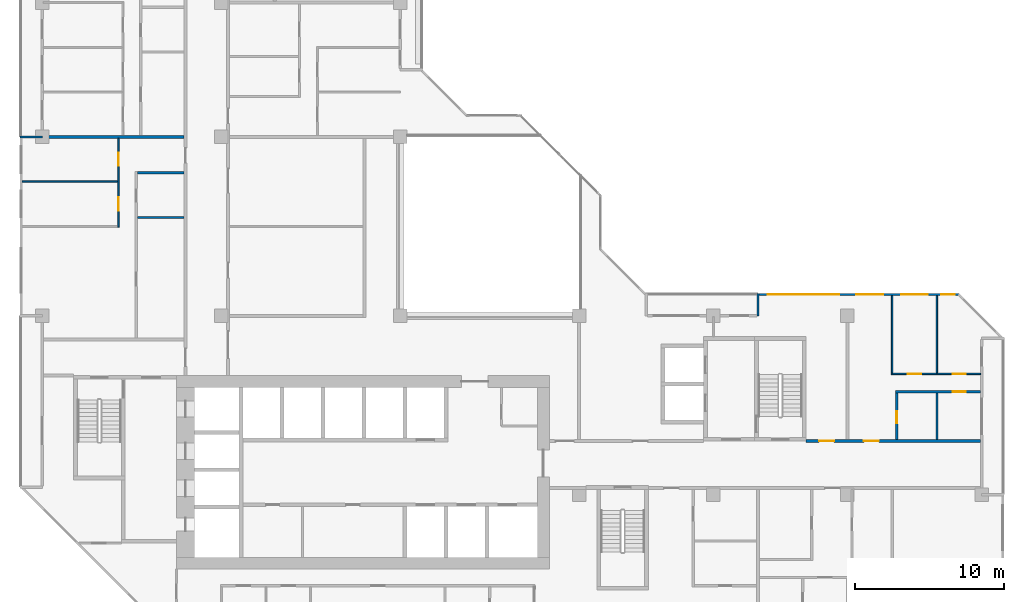
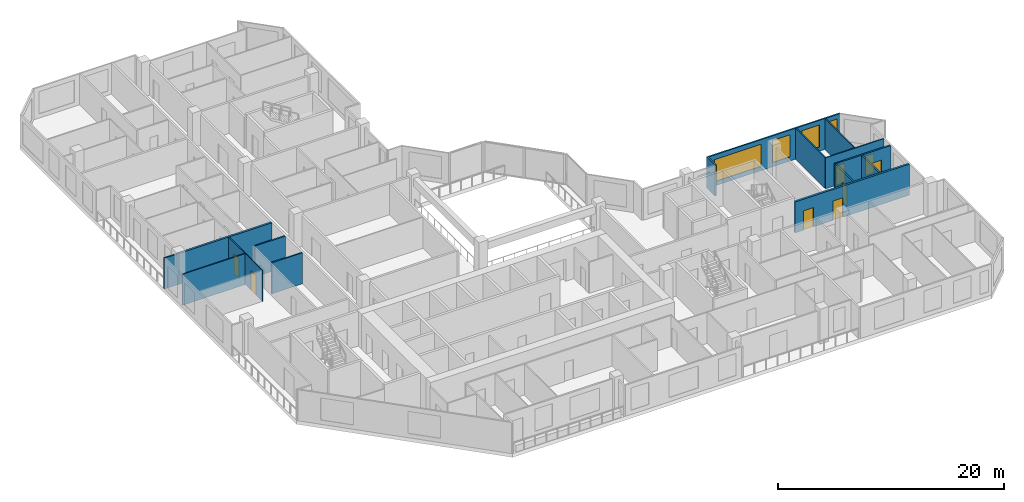
# One storey, part 8 of 14: 15 walls, 8 doors, 4 windows, 12 openings.
"""IFC4 building model written with IfcOpenShell, lengths in metres."""

import ifcopenshell
import ifcopenshell.guid

model = None  # the IFC model being written
_history = None  # IfcOwnerHistory: only IFC2X3 demands one
_inside = {}  # id of a spatial element -> (the spatial element, [elements in it])
_under = {}  # id of a project, library or spatial element -> (it, [spatial elements below it])
_declared = {}  # id of a project -> (the project, [libraries it declares])
_typed = {}  # id of a type object -> (the type object, [elements of that type])
_made_of = {}  # id of a material, layer set ... -> (it, [elements and type objects made of it])


def new_model(schema):
    """Start an empty IFC model of exactly this schema.

    Asked for "IFC4X3", IfcOpenShell would pick the latest addendum, in which some entities
    have other attributes; the version numbers below select the first issue.
    IFC2X3 requires an IfcOwnerHistory on every rooted entity: one is made here for all.
    """
    global model, _history
    if schema == "IFC4X3":
        model = ifcopenshell.file(schema_version=(4, 3, 0, 0))
    else:
        model = ifcopenshell.file(schema=schema)
    _inside.clear()
    _under.clear()
    _declared.clear()
    _typed.clear()
    _made_of.clear()
    _history = None
    if model.schema == "IFC2X3":
        org = make("IfcOrganization", Name="unknown")
        user = make(
            "IfcPersonAndOrganization",
            ThePerson=make("IfcPerson", FamilyName="unknown"),
            TheOrganization=org,
        )
        app = make(
            "IfcApplication",
            ApplicationDeveloper=org,
            Version="unknown",
            ApplicationFullName="unknown",
            ApplicationIdentifier="unknown",
        )
        _history = make(
            "IfcOwnerHistory",
            OwningUser=user,
            OwningApplication=app,
            ChangeAction="ADDED",
            CreationDate=0,
        )
    return model


def make(cls, **values):
    """One entity of the class cls with the attributes given. An attribute that is None is left unset."""
    return model.create_entity(
        cls, **{name: value for name, value in values.items() if value is not None}
    )


def rooted(cls, **values):
    """An entity with a GlobalId (a new one), such as an element, a storey or a relation."""
    return make(cls, GlobalId=ifcopenshell.guid.new(), OwnerHistory=_history, **values)


def si_unit(unit_type, name, prefix=None):
    """IfcSIUnit, for example si_unit("LENGTHUNIT", "METRE", prefix="MILLI")."""
    return make("IfcSIUnit", UnitType=unit_type, Prefix=prefix, Name=name)


def assignment(units):
    """IfcUnitAssignment: the units of a project."""
    return None if units is None else make("IfcUnitAssignment", Units=units)


def point(xyz):
    """IfcCartesianPoint."""
    return None if xyz is None else make("IfcCartesianPoint", Coordinates=xyz)


def direction(xyz):
    """IfcDirection."""
    return None if xyz is None else make("IfcDirection", DirectionRatios=xyz)


def frame(location, z_axis=None, x_axis=None):
    """IfcAxis2Placement3D, a coordinate frame: its origin and axes. An axis left out is left unset."""
    return make(
        "IfcAxis2Placement3D",
        Location=point(location),
        Axis=direction(z_axis),
        RefDirection=direction(x_axis),
    )


def frame_2d(location, x_axis=None):
    """IfcAxis2Placement2D, a coordinate frame in the plane: its origin and x axis."""
    return make(
        "IfcAxis2Placement2D", Location=point(location), RefDirection=direction(x_axis)
    )


def origin():
    """The frame at (0, 0, 0) with its axes left unset."""
    return frame((0.0, 0.0, 0.0))


def place(relative_to, where):
    """IfcLocalPlacement: puts the frame where relative to a parent placement (None: the world)."""
    return make(
        "IfcLocalPlacement", PlacementRelTo=relative_to, RelativePlacement=where
    )


def context(
    kind, dimensions, precision=None, world=None, true_north=None, identifier=None
):
    """IfcGeometricRepresentationContext, for example the 3D "Model" context."""
    return make(
        "IfcGeometricRepresentationContext",
        ContextIdentifier=identifier,
        ContextType=kind,
        CoordinateSpaceDimension=dimensions,
        Precision=precision,
        WorldCoordinateSystem=world,
        TrueNorth=true_north,
    )


def subcontext(parent, identifier, kind, view, scale=None):
    """IfcGeometricRepresentationSubContext, for example "Body" below "Model"."""
    return make(
        "IfcGeometricRepresentationSubContext",
        ContextIdentifier=identifier,
        ContextType=kind,
        ParentContext=parent,
        TargetScale=scale,
        TargetView=view,
    )


def project(units=None, contexts=None):
    """IfcProject with its units and contexts."""
    return rooted(
        "IfcProject",
        Name="project",
        RepresentationContexts=contexts,
        UnitsInContext=assignment(units),
    )


def spatial(cls, under=None, at=None, **own):
    """A site, building, storey or space (cls), placed at a placement, below another one or the project."""
    s = rooted(cls, ObjectPlacement=at, **own)
    if under is not None:
        _under.setdefault(under.id(), (under, []))[1].append(s)
    return s


def profile(cls, at=None, kind="AREA", **sizes):
    """A parametric profile (cls). Its sizes go by their IFC names, for example OverallWidth=200.0."""
    return make(cls, ProfileType=kind, Position=at, **sizes)


def rectangle(**sizes):
    """IfcRectangleProfileDef."""
    return profile("IfcRectangleProfileDef", **sizes)


def extrude(swept, where, along, depth):
    """IfcExtrudedAreaSolid: the profile swept, set in the frame where, extruded along a direction by depth."""
    return make(
        "IfcExtrudedAreaSolid",
        SweptArea=swept,
        Position=where,
        ExtrudedDirection=direction(along),
        Depth=depth,
    )


def shape(context_of_items, identifier, shape_type, items):
    """IfcShapeRepresentation: the items that make up one representation, for example the "Body"."""
    return make(
        "IfcShapeRepresentation",
        ContextOfItems=context_of_items,
        RepresentationIdentifier=identifier,
        RepresentationType=shape_type,
        Items=items,
    )


def material(Name=None, Category=None):
    """IfcMaterial."""
    return make("IfcMaterial", Name=Name, Category=Category)


def layer(
    of_material, thickness, ventilated=None, Name=None, Category=None, Priority=None
):
    """IfcMaterialLayer: one layer of a wall or slab, of a material (None: an air gap)."""
    return make(
        "IfcMaterialLayer",
        Material=of_material,
        LayerThickness=thickness,
        IsVentilated=ventilated,
        Name=Name,
        Category=Category,
        Priority=Priority,
    )


def layer_set(layers, Name=None):
    """IfcMaterialLayerSet."""
    return make("IfcMaterialLayerSet", MaterialLayers=layers, LayerSetName=Name)


def made_of(thing, what):
    """Note that an element or type object is made of a material, layer set ...; save() writes the relation."""
    if what is not None:
        _made_of.setdefault(what.id(), (what, []))[1].append(thing)
    return thing


def type_object(cls, material=None, **own):
    """A type object (cls), such as IfcWallType, which elements share."""
    return made_of(rooted(cls, **own), material)


def element(
    cls,
    number,
    at=None,
    inside=None,
    cuts=None,
    type_object=None,
    material=None,
    context=None,
    identifier="Body",
    shape_type=None,
    held_by="IfcProductDefinitionShape",
    body=None,
    shapes=None,
    **own,
):
    """One element of the class cls, such as IfcWall. Its Tag is "e" and its number.

    at: its placement. inside: the storey or other place that contains it. cuts: it is an
    opening in that element (IfcRelVoidsElement). A single representation is given by context,
    identifier, shape_type and body (its items); several are given by shapes. held_by: the class
    of the entity that holds the representations. save() writes the other relations.
    """
    e = rooted(cls, Tag="e%d" % number, ObjectPlacement=at, **own)
    if body is not None:
        shapes = [shape(context, identifier, shape_type, body)]
    if shapes is not None:
        e.Representation = make(held_by, Representations=shapes)
    if inside is not None:
        _inside.setdefault(inside.id(), (inside, []))[1].append(e)
    if cuts is not None:
        rooted(
            "IfcRelVoidsElement", RelatingBuildingElement=cuts, RelatedOpeningElement=e
        )
    if type_object is not None:
        _typed.setdefault(type_object.id(), (type_object, []))[1].append(e)
    return made_of(e, material)


def fill(opening, filler):
    """IfcRelFillsElement: the door or window that sits in an opening."""
    return rooted(
        "IfcRelFillsElement",
        RelatingOpeningElement=opening,
        RelatedBuildingElement=filler,
    )


def aggregate(whole, parts):
    """IfcRelAggregates: a whole, such as a stair, and the parts it consists of."""
    return rooted("IfcRelAggregates", RelatingObject=whole, RelatedObjects=parts)


def save(model, path):
    """Write the relations noted so far, then the file.

    IfcRelAggregates (storeys below a building ...), IfcRelContainedInSpatialStructure (elements
    in a storey), IfcRelDefinesByType, IfcRelAssociatesMaterial and IfcRelDeclares: one each for
    every whole, place, type object, material and project.
    """
    for whole, parts in _under.values():
        aggregate(whole, parts)
    for where, things in _inside.values():
        rooted(
            "IfcRelContainedInSpatialStructure",
            RelatedElements=things,
            RelatingStructure=where,
        )
    for kind, things in _typed.values():
        rooted("IfcRelDefinesByType", RelatedObjects=things, RelatingType=kind)
    for what, things in _made_of.values():
        rooted("IfcRelAssociatesMaterial", RelatedObjects=things, RelatingMaterial=what)
    for by, libraries in _declared.values():
        rooted("IfcRelDeclares", RelatingContext=by, RelatedDefinitions=libraries)
    model.write(path)


model = new_model("IFC4")

# Units and contexts
model_context = context("Model", 3, precision=1e-05, world=origin(), true_north=direction((0.0, 1.0)))
body_context = subcontext(model_context, "Body", "Model", "MODEL_VIEW")
ifc_project = project(units=[si_unit("LENGTHUNIT", "METRE"), si_unit("AREAUNIT", "SQUARE_METRE"), si_unit("VOLUMEUNIT", "CUBIC_METRE"), si_unit("PLANEANGLEUNIT", "RADIAN"), si_unit("MASSUNIT", "GRAM", prefix="KILO")], contexts=[model_context])

# Site, building, storey
site_placement = place(None, origin())
site = spatial("IfcSite", under=ifc_project, at=site_placement, CompositionType="ELEMENT")
building_placement = place(site_placement, origin())
building = spatial("IfcBuilding", under=site, at=building_placement, Name="Chenar Terraces", CompositionType="ELEMENT")
storey_placement = place(building_placement, frame((0.0, 0.0, 168.64990234375)))
storey = spatial("IfcBuildingStorey", under=building, at=storey_placement, Name="L38", CompositionType="ELEMENT", Elevation=168.64990234375)

# Wall, openings, doors
ifc_material_1 = material(Name="Gypsum board on steel studs with fire boards", Category="steel")
ifc_layer_1 = layer(ifc_material_1, 0.199951171875)
ifc_layer_set_1 = layer_set([ifc_layer_1], Name="Gypsum board on steel studs with fire boards")
wall_type_1 = type_object("IfcWallType", Name="Corridor wall 200", PredefinedType="PARTITIONING", material=ifc_layer_set_1)
wall_1_placement = place(storey_placement, frame((51.22509765625, 15.60009765625, 0.0), z_axis=(0.0, 0.0, 1.0), x_axis=(1.0, 0.0, 0.0)))
wall_1 = element("IfcWall", 1, at=wall_1_placement, inside=storey, type_object=wall_type_1, Name="Partition L38-074", PredefinedType="PARTITIONING", context=body_context, shape_type="SweptSolid", body=[
    extrude(rectangle(XDim=11.700927734375, YDim=0.199951171875, at=frame_2d((5.8505859375, 0.0))), origin(), (0.0, 0.0, 1.0), 3.35009765625),
])
opening_1_placement = place(wall_1_placement, frame((3.875, 0.0, 0.0)))
opening_1 = element("IfcOpeningElement", 2, at=opening_1_placement, cuts=wall_1, Name="Opening DL38-8", PredefinedType="OPENING", context=body_context, shape_type="SweptSolid", body=[
    extrude(rectangle(XDim=1.0, YDim=2.10009765625, at=frame_2d((0.5, 1.050048828125))), frame((0.0, 0.10986328125, 0.0), z_axis=(0.0, -1.0, 0.0), x_axis=(1.0, 0.0, 0.0)), (0.0, 0.0, 1.0), 0.219970703125),
])
opening_2_placement = place(wall_1_placement, frame((0.875, 0.0, 0.0)))
opening_2 = element("IfcOpeningElement", 3, at=opening_2_placement, cuts=wall_1, Name="Opening DL38-43", PredefinedType="OPENING", context=body_context, shape_type="SweptSolid", body=[
    extrude(rectangle(XDim=1.0, YDim=2.10009765625, at=frame_2d((0.5, 1.050048828125))), frame((0.0, 0.10986328125, 0.0), z_axis=(0.0, -1.0, 0.0), x_axis=(1.0, 0.0, 0.0)), (0.0, 0.0, 1.0), 0.219970703125),
])
ifc_material_2 = material(Name="Steel-framed fire-resisting door leaf", Category="steel")
door_type_1 = type_object("IfcDoorType", Name="Fire door FD30S 1000 x 2100", OperationType="SINGLE_SWING_LEFT", PredefinedType="DOOR", material=ifc_material_2)
door_1_placement = place(opening_1_placement, origin())
door_1 = element("IfcDoor", 4, at=door_1_placement, inside=storey, type_object=door_type_1, Name="Door DL38-8", OperationType="SINGLE_SWING_LEFT", OverallHeight=2.10009765625, OverallWidth=1.0, PredefinedType="DOOR", context=body_context, shape_type="SweptSolid", body=[
    extrude(rectangle(XDim=1.0, YDim=2.10009765625, at=frame_2d((0.5, 1.050048828125))), frame((0.0, 0.02490234375, 0.0), z_axis=(0.0, -1.0, 0.0), x_axis=(1.0, 0.0, 0.0)), (0.0, 0.0, 1.0), 0.050048828125),
])
fill(opening_1, door_1)
door_2_placement = place(opening_2_placement, origin())
door_2 = element("IfcDoor", 5, at=door_2_placement, inside=storey, type_object=door_type_1, Name="Door DL38-43", OperationType="SINGLE_SWING_RIGHT", OverallHeight=2.10009765625, OverallWidth=1.0, PredefinedType="DOOR", context=body_context, shape_type="SweptSolid", body=[
    extrude(rectangle(XDim=1.0, YDim=2.10009765625, at=frame_2d((0.5, 1.050048828125))), frame((0.0, 0.02490234375, 0.0), z_axis=(0.0, -1.0, 0.0), x_axis=(1.0, 0.0, 0.0)), (0.0, 0.0, 1.0), 0.050048828125),
])
fill(opening_2, door_2)

# Wall, openings, windows
ifc_material_3 = material(Name="Aluminium framed glazing", Category="aluminium")
ifc_layer_2 = layer(ifc_material_3, 0.14990234375)
ifc_layer_set_2 = layer_set([ifc_layer_2], Name="Aluminium framed glazing")
wall_type_2 = type_object("IfcWallType", Name="Glazed flush facade wall 150", PredefinedType="SOLIDWALL", material=ifc_layer_set_2)
wall_2_placement = place(storey_placement, frame((61.5, 25.425048828125, 0.0), z_axis=(0.0, 0.0, 1.0), x_axis=(-1.0, 0.0, 0.0)))
wall_2 = element("IfcWall", 6, at=wall_2_placement, inside=storey, type_object=wall_type_2, Name="Glazed flush facade wall", PredefinedType="SOLIDWALL", context=body_context, shape_type="SweptSolid", body=[
    extrude(rectangle(XDim=13.425048828125, YDim=0.14990234375, at=frame_2d((6.71240234375, 0.0))), origin(), (0.0, 0.0, 1.0), 3.35009765625),
])
opening_3_placement = place(wall_2_placement, frame((0.300048828125, 0.0, 0.449951171875)))
opening_3 = element("IfcOpeningElement", 7, at=opening_3_placement, cuts=wall_2, Name="Opening W90x240", PredefinedType="OPENING", context=body_context, shape_type="SweptSolid", body=[
    extrude(rectangle(XDim=0.89990234375, YDim=2.39990234375, at=frame_2d((0.449951171875, 1.199951171875))), frame((0.0, 0.0849609375, 0.0), z_axis=(0.0, -1.0, 0.0), x_axis=(1.0, 0.0, 0.0)), (0.0, 0.0, 1.0), 0.169921875),
])
opening_4_placement = place(wall_2_placement, frame((2.10009765625, 0.0, 0.449951171875)))
opening_4 = element("IfcOpeningElement", 8, at=opening_4_placement, cuts=wall_2, Name="Opening W180x240", PredefinedType="OPENING", context=body_context, shape_type="SweptSolid", body=[
    extrude(rectangle(XDim=1.800048828125, YDim=2.39990234375, at=frame_2d((0.89990234375, 1.199951171875))), frame((0.0, 0.0849609375, 0.0), z_axis=(0.0, -1.0, 0.0), x_axis=(1.0, 0.0, 0.0)), (0.0, 0.0, 1.0), 0.169921875),
])
opening_5_placement = place(wall_2_placement, frame((5.10009765625, 0.0, 0.449951171875)))
opening_5 = element("IfcOpeningElement", 9, at=opening_5_placement, cuts=wall_2, Name="Opening W180x240", PredefinedType="OPENING", context=body_context, shape_type="SweptSolid", body=[
    extrude(rectangle(XDim=1.800048828125, YDim=2.39990234375, at=frame_2d((0.89990234375, 1.199951171875))), frame((0.0, 0.0849609375, 0.0), z_axis=(0.0, -1.0, 0.0), x_axis=(1.0, 0.0, 0.0)), (0.0, 0.0, 1.0), 0.169921875),
])
opening_6_placement = place(wall_2_placement, frame((8.0625, 0.0, 0.449951171875)))
opening_6 = element("IfcOpeningElement", 10, at=opening_6_placement, cuts=wall_2, Name="Opening W480x240", PredefinedType="OPENING", context=body_context, shape_type="SweptSolid", body=[
    extrude(rectangle(XDim=4.800048828125, YDim=2.39990234375, at=frame_2d((2.39990234375, 1.199951171875))), frame((0.0, 0.0849609375, 0.0), z_axis=(0.0, -1.0, 0.0), x_axis=(1.0, 0.0, 0.0)), (0.0, 0.0, 1.0), 0.169921875),
])
ifc_material_4 = material(Name="Low emissivity double glazing, aluminium frame", Category="aluminium")
window_type_1 = type_object("IfcWindowType", Name="Fixed light 1800 x 2400", PartitioningType="SINGLE_PANEL", PredefinedType="WINDOW", material=ifc_material_4)
window_1_placement = place(opening_4_placement, origin())
window_1 = element("IfcWindow", 11, at=window_1_placement, inside=storey, type_object=window_type_1, Name="Window", OverallHeight=2.39990234375, OverallWidth=1.800048828125, PartitioningType="SINGLE_PANEL", PredefinedType="WINDOW", context=body_context, shape_type="SweptSolid", body=[
    extrude(rectangle(XDim=1.800048828125, YDim=2.39990234375, at=frame_2d((0.89990234375, 1.199951171875))), frame((0.0, 0.030029296875, 0.0), z_axis=(0.0, -1.0, 0.0), x_axis=(1.0, 0.0, 0.0)), (0.0, 0.0, 1.0), 0.06005859375),
])
fill(opening_4, window_1)
window_2_placement = place(opening_5_placement, origin())
window_2 = element("IfcWindow", 12, at=window_2_placement, inside=storey, type_object=window_type_1, Name="Window", OverallHeight=2.39990234375, OverallWidth=1.800048828125, PartitioningType="SINGLE_PANEL", PredefinedType="WINDOW", context=body_context, shape_type="SweptSolid", body=[
    extrude(rectangle(XDim=1.800048828125, YDim=2.39990234375, at=frame_2d((0.89990234375, 1.199951171875))), frame((0.0, 0.030029296875, 0.0), z_axis=(0.0, -1.0, 0.0), x_axis=(1.0, 0.0, 0.0)), (0.0, 0.0, 1.0), 0.06005859375),
])
fill(opening_5, window_2)
ifc_material_5 = material(Name="Low emissivity double glazing, aluminium frame", Category="aluminium")
window_type_2 = type_object("IfcWindowType", Name="Fixed light 4800 x 2400", PartitioningType="SINGLE_PANEL", PredefinedType="WINDOW", material=ifc_material_5)
window_3_placement = place(opening_6_placement, origin())
window_3 = element("IfcWindow", 13, at=window_3_placement, inside=storey, type_object=window_type_2, Name="Window", OverallHeight=2.39990234375, OverallWidth=4.800048828125, PartitioningType="SINGLE_PANEL", PredefinedType="WINDOW", context=body_context, shape_type="SweptSolid", body=[
    extrude(rectangle(XDim=4.800048828125, YDim=2.39990234375, at=frame_2d((2.39990234375, 1.199951171875))), frame((0.0, 0.030029296875, 0.0), z_axis=(0.0, -1.0, 0.0), x_axis=(1.0, 0.0, 0.0)), (0.0, 0.0, 1.0), 0.06005859375),
])
fill(opening_6, window_3)
ifc_material_6 = material(Name="Low emissivity double glazing, aluminium frame", Category="aluminium")
window_type_3 = type_object("IfcWindowType", Name="Fixed light 900 x 2400", PartitioningType="SINGLE_PANEL", PredefinedType="WINDOW", material=ifc_material_6)
window_4_placement = place(opening_3_placement, origin())
window_4 = element("IfcWindow", 14, at=window_4_placement, inside=storey, type_object=window_type_3, Name="Window", OverallHeight=2.39990234375, OverallWidth=0.89990234375, PartitioningType="SINGLE_PANEL", PredefinedType="WINDOW", context=body_context, shape_type="SweptSolid", body=[
    extrude(rectangle(XDim=0.89990234375, YDim=2.39990234375, at=frame_2d((0.449951171875, 1.199951171875))), frame((0.0, 0.030029296875, 0.0), z_axis=(0.0, -1.0, 0.0), x_axis=(1.0, 0.0, 0.0)), (0.0, 0.0, 1.0), 0.06005859375),
])
fill(opening_3, window_4)

# Wall
ifc_material_7 = material(Name="Gypsum board on steel studs", Category="steel")
ifc_layer_3 = layer(ifc_material_7, 0.10009765625)
ifc_layer_set_3 = layer_set([ifc_layer_3], Name="Gypsum board on steel studs")
wall_type_3 = type_object("IfcWallType", Name="Gypsum partition 100", PredefinedType="PARTITIONING", material=ifc_layer_set_3)
wall_3_placement = place(storey_placement, frame((-1.35107421875, 33.0, 0.0), z_axis=(0.0, 0.0, 1.0), x_axis=(1.0, 0.0, 0.0)))
element("IfcWall", 15, at=wall_3_placement, inside=storey, type_object=wall_type_3, Name="Partition L38-001", PredefinedType="PARTITIONING", context=body_context, shape_type="SweptSolid", body=[
    extrude(rectangle(XDim=6.401123046875, YDim=0.10009765625, at=frame_2d((3.20068359375, 0.0))), origin(), (0.0, 0.0, 1.0), 3.35009765625),
])

# Wall, openings, doors
wall_4_placement = place(storey_placement, frame((5.10009765625, 29.949951171875, 0.0), z_axis=(0.0, 0.0, 1.0), x_axis=(0.0, 1.0, 0.0)))
wall_4 = element("IfcWall", 16, at=wall_4_placement, inside=storey, type_object=wall_type_3, Name="Partition L38-013", PredefinedType="PARTITIONING", context=body_context, shape_type="SweptSolid", body=[
    extrude(rectangle(XDim=5.949951171875, YDim=0.10009765625, at=frame_2d((2.97509765625, 0.0))), origin(), (0.0, 0.0, 1.0), 3.35009765625),
])
opening_7_placement = place(wall_4_placement, frame((1.10009765625, 0.0, 0.0)))
opening_7 = element("IfcOpeningElement", 17, at=opening_7_placement, cuts=wall_4, Name="Opening DL38-59", PredefinedType="OPENING", context=body_context, shape_type="SweptSolid", body=[
    extrude(rectangle(XDim=0.89990234375, YDim=2.10009765625, at=frame_2d((0.449951171875, 1.050048828125))), frame((0.0, 0.06005859375, 0.0), z_axis=(0.0, -1.0, 0.0), x_axis=(1.0, 0.0, 0.0)), (0.0, 0.0, 1.0), 0.1201171875),
])
opening_8_placement = place(wall_4_placement, frame((4.10009765625, 0.0, 0.0)))
opening_8 = element("IfcOpeningElement", 18, at=opening_8_placement, cuts=wall_4, Name="Opening DL38-60", PredefinedType="OPENING", context=body_context, shape_type="SweptSolid", body=[
    extrude(rectangle(XDim=0.89990234375, YDim=2.10009765625, at=frame_2d((0.449951171875, 1.050048828125))), frame((0.0, 0.06005859375, 0.0), z_axis=(0.0, -1.0, 0.0), x_axis=(1.0, 0.0, 0.0)), (0.0, 0.0, 1.0), 0.1201171875),
])
ifc_material_8 = material(Name="Veneered timber door leaf", Category="wood")
door_type_2 = type_object("IfcDoorType", Name="Door 900 x 2100", OperationType="SINGLE_SWING_LEFT", PredefinedType="DOOR", material=ifc_material_8)
door_3_placement = place(opening_7_placement, origin())
door_3 = element("IfcDoor", 19, at=door_3_placement, inside=storey, type_object=door_type_2, Name="Door DL38-59", OperationType="SINGLE_SWING_LEFT", OverallHeight=2.10009765625, OverallWidth=0.89990234375, PredefinedType="DOOR", context=body_context, shape_type="SweptSolid", body=[
    extrude(rectangle(XDim=0.89990234375, YDim=2.10009765625, at=frame_2d((0.449951171875, 1.050048828125))), frame((0.0, 0.02490234375, 0.0), z_axis=(0.0, -1.0, 0.0), x_axis=(1.0, 0.0, 0.0)), (0.0, 0.0, 1.0), 0.050048828125),
])
fill(opening_7, door_3)
door_4_placement = place(opening_8_placement, origin())
door_4 = element("IfcDoor", 20, at=door_4_placement, inside=storey, type_object=door_type_2, Name="Door DL38-60", OperationType="SINGLE_SWING_RIGHT", OverallHeight=2.10009765625, OverallWidth=0.89990234375, PredefinedType="DOOR", context=body_context, shape_type="SweptSolid", body=[
    extrude(rectangle(XDim=0.89990234375, YDim=2.10009765625, at=frame_2d((0.449951171875, 1.050048828125))), frame((0.0, 0.02490234375, 0.0), z_axis=(0.0, -1.0, 0.0), x_axis=(1.0, 0.0, 0.0)), (0.0, 0.0, 1.0), 0.050048828125),
])
fill(opening_8, door_4)

wall_5_placement = place(storey_placement, frame((56.949951171875, 20.10009765625, 0.0), z_axis=(0.0, 0.0, 1.0), x_axis=(1.0, 0.0, 0.0)))
wall_5 = element("IfcWall", 21, at=wall_5_placement, inside=storey, type_object=wall_type_3, Name="Partition L38-080", PredefinedType="PARTITIONING", context=body_context, shape_type="SweptSolid", body=[
    extrude(rectangle(XDim=5.97607421875, YDim=0.10009765625, at=frame_2d((2.988037109375, 0.0))), origin(), (0.0, 0.0, 1.0), 3.35009765625),
])
opening_9_placement = place(wall_5_placement, frame((1.10009765625, 0.0, 0.0)))
opening_9 = element("IfcOpeningElement", 22, at=opening_9_placement, cuts=wall_5, Name="Opening DL38-5", PredefinedType="OPENING", context=body_context, shape_type="SweptSolid", body=[
    extrude(rectangle(XDim=0.89990234375, YDim=2.10009765625, at=frame_2d((0.449951171875, 1.050048828125))), frame((0.0, 0.06005859375, 0.0), z_axis=(0.0, -1.0, 0.0), x_axis=(1.0, 0.0, 0.0)), (0.0, 0.0, 1.0), 0.1201171875),
])
opening_10_placement = place(wall_5_placement, frame((4.10009765625, 0.0, 0.0)))
opening_10 = element("IfcOpeningElement", 23, at=opening_10_placement, cuts=wall_5, Name="Opening DL38-6", PredefinedType="OPENING", context=body_context, shape_type="SweptSolid", body=[
    extrude(rectangle(XDim=0.89990234375, YDim=2.10009765625, at=frame_2d((0.449951171875, 1.050048828125))), frame((0.0, 0.06005859375, 0.0), z_axis=(0.0, -1.0, 0.0), x_axis=(1.0, 0.0, 0.0)), (0.0, 0.0, 1.0), 0.1201171875),
])
door_5_placement = place(opening_9_placement, origin())
door_5 = element("IfcDoor", 24, at=door_5_placement, inside=storey, type_object=door_type_2, Name="Door DL38-5", OperationType="SINGLE_SWING_LEFT", OverallHeight=2.10009765625, OverallWidth=0.89990234375, PredefinedType="DOOR", context=body_context, shape_type="SweptSolid", body=[
    extrude(rectangle(XDim=0.89990234375, YDim=2.10009765625, at=frame_2d((0.449951171875, 1.050048828125))), frame((0.0, 0.02490234375, 0.0), z_axis=(0.0, -1.0, 0.0), x_axis=(1.0, 0.0, 0.0)), (0.0, 0.0, 1.0), 0.050048828125),
])
fill(opening_9, door_5)
door_6_placement = place(opening_10_placement, origin())
door_6 = element("IfcDoor", 25, at=door_6_placement, inside=storey, type_object=door_type_2, Name="Door DL38-6", OperationType="SINGLE_SWING_LEFT", OverallHeight=2.10009765625, OverallWidth=0.89990234375, PredefinedType="DOOR", context=body_context, shape_type="SweptSolid", body=[
    extrude(rectangle(XDim=0.89990234375, YDim=2.10009765625, at=frame_2d((0.449951171875, 1.050048828125))), frame((0.0, 0.02490234375, 0.0), z_axis=(0.0, -1.0, 0.0), x_axis=(1.0, 0.0, 0.0)), (0.0, 0.0, 1.0), 0.050048828125),
])
fill(opening_10, door_6)

# Walls
wall_6_placement = place(storey_placement, frame((57.0, 20.14990234375, 0.0), z_axis=(0.0, 0.0, 1.0), x_axis=(0.0, 1.0, 0.0)))
element("IfcWall", 26, at=wall_6_placement, inside=storey, type_object=wall_type_3, Name="Partition L38-083", PredefinedType="PARTITIONING", context=body_context, shape_type="SweptSolid", body=[
    extrude(rectangle(XDim=5.2001953125, YDim=0.10009765625, at=frame_2d((2.60009765625, 0.0))), origin(), (0.0, 0.0, 1.0), 3.35009765625),
])
wall_7_placement = place(storey_placement, frame((60.0, 20.14990234375, 0.0), z_axis=(0.0, 0.0, 1.0), x_axis=(0.0, 1.0, 0.0)))
element("IfcWall", 27, at=wall_7_placement, inside=storey, type_object=wall_type_3, Name="Partition L38-089", PredefinedType="PARTITIONING", context=body_context, shape_type="SweptSolid", body=[
    extrude(rectangle(XDim=5.201171875, YDim=0.10009765625, at=frame_2d((2.6005859375, 0.0))), origin(), (0.0, 0.0, 1.0), 3.35009765625),
])
ifc_material_9 = material(Name="Terracotta cladding on insulated backing", Category="masonry")
ifc_layer_4 = layer(ifc_material_9, 0.14990234375)
ifc_layer_set_4 = layer_set([ifc_layer_4], Name="Terracotta cladding on insulated backing")
wall_type_4 = type_object("IfcWallType", Name="Loggia return wall 150", PredefinedType="SOLIDWALL", material=ifc_layer_set_4)
for number, where, z_axis, x_axis, name in (
    (28, (48.0, 25.5, 0.0), (0.0, 0.0, 1.0), (0.0, -1.0, 0.0), "Loggia return wall"),
    (29, (-1.5, 36.0, 0.0), (0.0, 0.0, 1.0), (1.0, 0.0, 0.0), "Loggia return wall"),
):
    element("IfcWall", number, at=place(storey_placement, frame(where, z_axis=z_axis, x_axis=x_axis)), inside=storey, type_object=wall_type_4, Name=name, PredefinedType="SOLIDWALL", context=body_context, shape_type="SweptSolid", body=[
        extrude(rectangle(XDim=1.5, YDim=0.14990234375, at=frame_2d((0.75, 0.0))), origin(), (0.0, 0.0, 1.0), 3.35009765625),
    ])
ifc_material_10 = material(Name="Twin gypsum board on steel studs with mineral wool", Category="steel")
ifc_layer_5 = layer(ifc_material_10, 0.199951171875)
ifc_layer_set_5 = layer_set([ifc_layer_5], Name="Twin gypsum board on steel studs with mineral wool")
wall_type_5 = type_object("IfcWallType", Name="Unit demising wall 200", PredefinedType="PARTITIONING", material=ifc_layer_set_5)
wall_8_placement = place(storey_placement, frame((0.0, 36.0, 0.0), z_axis=(0.0, 0.0, 1.0), x_axis=(1.0, 0.0, 0.0)))
element("IfcWall", 30, at=wall_8_placement, inside=storey, type_object=wall_type_5, Name="Partition L38-004", PredefinedType="PARTITIONING", context=body_context, shape_type="SweptSolid", body=[
    extrude(rectangle(XDim=9.5, YDim=0.199951171875, at=frame_2d((4.75, 0.0))), origin(), (0.0, 0.0, 1.0), 3.35009765625),
])
ifc_material_11 = material(Name="Moisture-resistant gypsum board on steel studs", Category="steel")
ifc_layer_6 = layer(ifc_material_11, 0.14990234375)
ifc_layer_set_6 = layer_set([ifc_layer_6], Name="Moisture-resistant gypsum board on steel studs")
wall_type_6 = type_object("IfcWallType", Name="Wet-room partition 150", PredefinedType="PARTITIONING", material=ifc_layer_set_6)
for number, where, z_axis, x_axis, name in (
    (31, (6.375, 30.60009765625, 0.0), (0.0, 0.0, 1.0), (1.0, 0.0, 0.0), "Partition L38-018"),
    (32, (6.375, 33.60009765625, 0.0), (0.0, 0.0, 1.0), (1.0, 0.0, 0.0), "Partition L38-019"),
):
    element("IfcWall", number, at=place(storey_placement, frame(where, z_axis=z_axis, x_axis=x_axis)), inside=storey, type_object=wall_type_6, Name=name, PredefinedType="PARTITIONING", context=body_context, shape_type="SweptSolid", body=[
        extrude(rectangle(XDim=3.125, YDim=0.14990234375, at=frame_2d((1.5625, 0.0))), origin(), (0.0, 0.0, 1.0), 3.35009765625),
    ])

# Wall, opening, door
wall_9_placement = place(storey_placement, frame((57.22509765625, 18.89990234375, 0.0), z_axis=(0.0, 0.0, 1.0), x_axis=(1.0, 0.0, 0.0)))
wall_9 = element("IfcWall", 33, at=wall_9_placement, inside=storey, type_object=wall_type_6, Name="Partition L38-085", PredefinedType="PARTITIONING", context=body_context, shape_type="SweptSolid", body=[
    extrude(rectangle(XDim=5.700927734375, YDim=0.14990234375, at=frame_2d((2.8505859375, 0.0))), origin(), (0.0, 0.0, 1.0), 3.35009765625),
])
opening_11_placement = place(wall_9_placement, frame((3.824951171875, 0.0, 0.0)))
opening_11 = element("IfcOpeningElement", 34, at=opening_11_placement, cuts=wall_9, Name="Opening DL38-7", PredefinedType="OPENING", context=body_context, shape_type="SweptSolid", body=[
    extrude(rectangle(XDim=0.89990234375, YDim=2.10009765625, at=frame_2d((0.449951171875, 1.050048828125))), frame((0.0, 0.0849609375, 0.0), z_axis=(0.0, -1.0, 0.0), x_axis=(1.0, 0.0, 0.0)), (0.0, 0.0, 1.0), 0.169921875),
])
door_7_placement = place(opening_11_placement, frame((0.89990234375, 0.0, 0.0), z_axis=(0.0, 0.0, 1.0), x_axis=(-1.0, 0.0, 0.0)))
door_7 = element("IfcDoor", 35, at=door_7_placement, inside=storey, type_object=door_type_2, Name="Door DL38-7", OperationType="SINGLE_SWING_LEFT", OverallHeight=2.10009765625, OverallWidth=0.89990234375, PredefinedType="DOOR", context=body_context, shape_type="SweptSolid", body=[
    extrude(rectangle(XDim=0.89990234375, YDim=2.10009765625, at=frame_2d((0.449951171875, 1.050048828125))), frame((0.0, 0.02490234375, 0.0), z_axis=(0.0, -1.0, 0.0), x_axis=(1.0, 0.0, 0.0)), (0.0, 0.0, 1.0), 0.050048828125),
])
fill(opening_11, door_7)

wall_10_placement = place(storey_placement, frame((57.300048828125, 15.699951171875, 0.0), z_axis=(0.0, 0.0, 1.0), x_axis=(0.0, 1.0, 0.0)))
wall_10 = element("IfcWall", 36, at=wall_10_placement, inside=storey, type_object=wall_type_6, Name="Partition L38-086", PredefinedType="PARTITIONING", context=body_context, shape_type="SweptSolid", body=[
    extrude(rectangle(XDim=3.125, YDim=0.14990234375, at=frame_2d((1.5625, 0.0))), origin(), (0.0, 0.0, 1.0), 3.35009765625),
])
opening_12_placement = place(wall_10_placement, frame((1.10009765625, 0.0, 0.0)))
opening_12 = element("IfcOpeningElement", 37, at=opening_12_placement, cuts=wall_10, Name="Opening DL38-4", PredefinedType="OPENING", context=body_context, shape_type="SweptSolid", body=[
    extrude(rectangle(XDim=0.800048828125, YDim=2.10009765625, at=frame_2d((0.39990234375, 1.050048828125))), frame((0.0, 0.0849609375, 0.0), z_axis=(0.0, -1.0, 0.0), x_axis=(1.0, 0.0, 0.0)), (0.0, 0.0, 1.0), 0.169921875),
])
ifc_material_12 = material(Name="Veneered timber door leaf", Category="wood")
door_type_3 = type_object("IfcDoorType", Name="Door 800 x 2100", OperationType="SINGLE_SWING_LEFT", PredefinedType="DOOR", material=ifc_material_12)
door_8_placement = place(opening_12_placement, frame((0.800048828125, 0.0, 0.0), z_axis=(0.0, 0.0, 1.0), x_axis=(-1.0, 0.0, 0.0)))
door_8 = element("IfcDoor", 38, at=door_8_placement, inside=storey, type_object=door_type_3, Name="Door DL38-4", OperationType="SINGLE_SWING_RIGHT", OverallHeight=2.10009765625, OverallWidth=0.800048828125, PredefinedType="DOOR", context=body_context, shape_type="SweptSolid", body=[
    extrude(rectangle(XDim=0.800048828125, YDim=2.10009765625, at=frame_2d((0.39990234375, 1.050048828125))), frame((0.0, 0.02490234375, 0.0), z_axis=(0.0, -1.0, 0.0), x_axis=(1.0, 0.0, 0.0)), (0.0, 0.0, 1.0), 0.050048828125),
])
fill(opening_12, door_8)

# Wall
wall_11_placement = place(storey_placement, frame((60.0, 15.699951171875, 0.0), z_axis=(0.0, 0.0, 1.0), x_axis=(0.0, 1.0, 0.0)))
element("IfcWall", 39, at=wall_11_placement, inside=storey, type_object=wall_type_6, Name="Partition L38-088", PredefinedType="PARTITIONING", context=body_context, shape_type="SweptSolid", body=[
    extrude(rectangle(XDim=3.125, YDim=0.14990234375, at=frame_2d((1.5625, 0.0))), origin(), (0.0, 0.0, 1.0), 3.35009765625),
])

save(model, "model.ifc")
